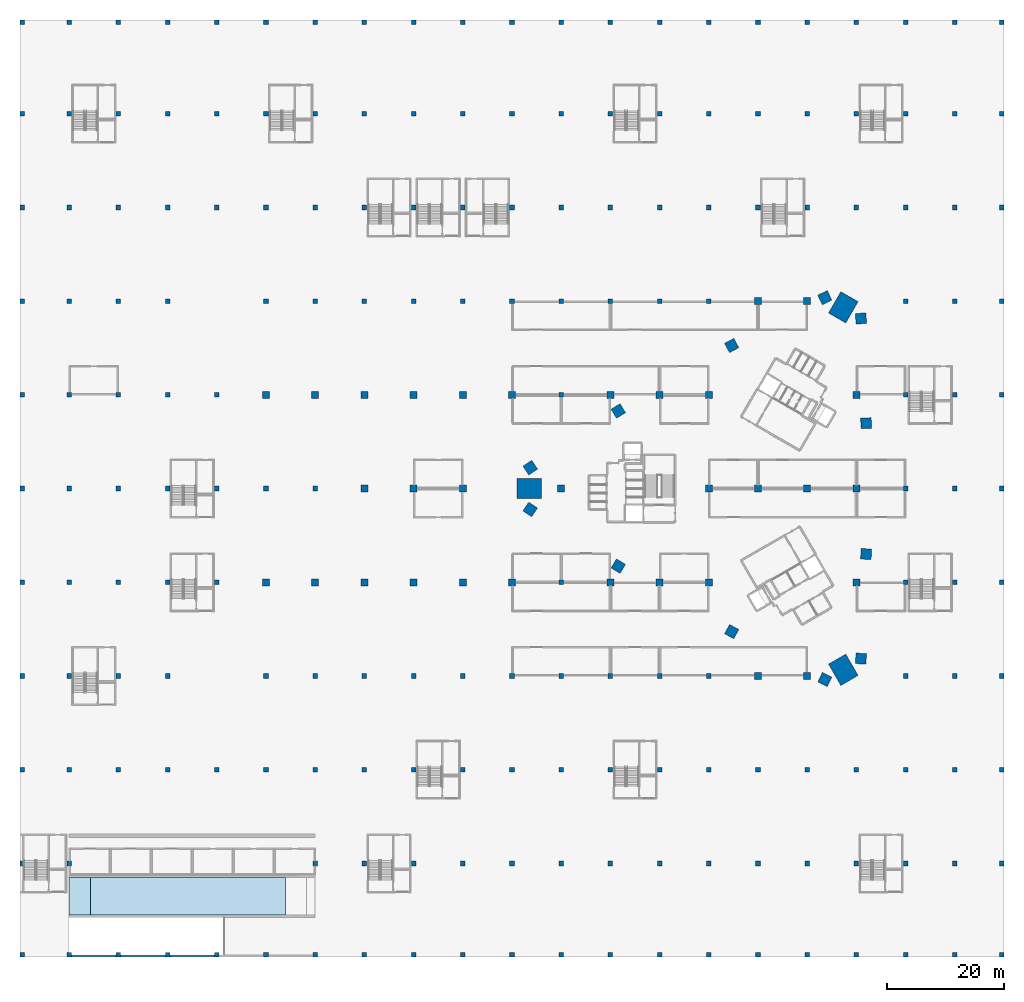
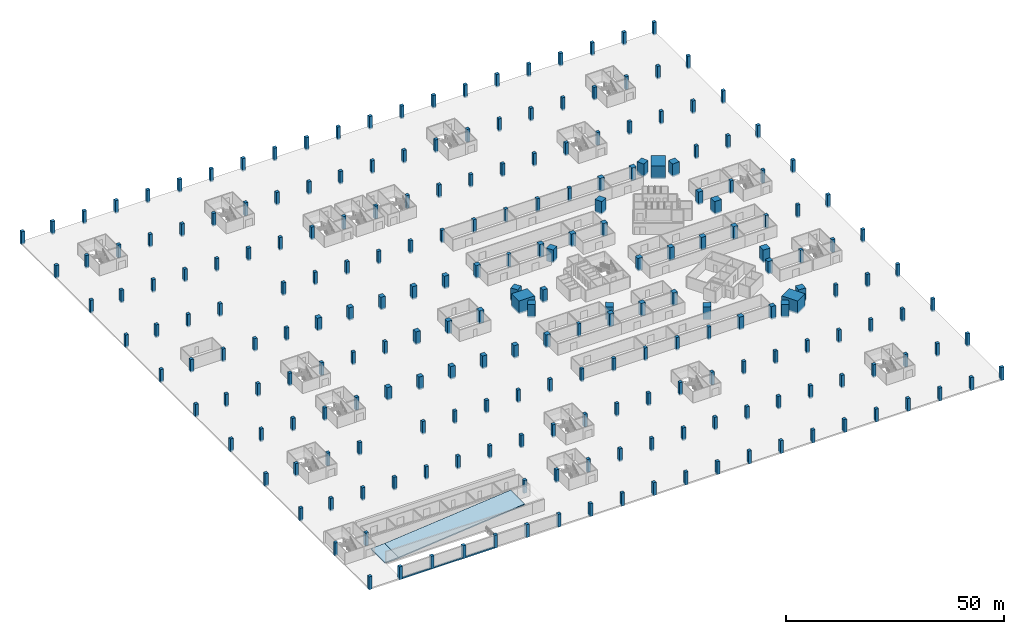
# One storey, part 1 of 37: 231 columns, 5 slabs.
"""IFC4 building model written with IfcOpenShell, lengths in metres."""

from ifc_helpers import new_model, si_unit, direction, frame, origin, origin_2d, place, context, subcontext, project, spatial, polyline, rectangle, outline, extrude, material, layer, layer_set, material_profile, profile_set, type_object, element, save


model = new_model("IFC4")

# Units and contexts
model_context = context("Model", 3, precision=1e-05, world=origin(), true_north=direction((0.0, 1.0)))
body_context = subcontext(model_context, "Body", "Model", "MODEL_VIEW")
ifc_project = project(units=[si_unit("LENGTHUNIT", "METRE"), si_unit("AREAUNIT", "SQUARE_METRE"), si_unit("VOLUMEUNIT", "CUBIC_METRE"), si_unit("PLANEANGLEUNIT", "RADIAN"), si_unit("MASSUNIT", "GRAM", prefix="KILO")], contexts=[model_context])

# Site, building, storey
site_placement = place(None, origin())
site = spatial("IfcSite", under=ifc_project, at=site_placement, CompositionType="ELEMENT")
building_placement = place(site_placement, origin())
building = spatial("IfcBuilding", under=site, at=building_placement, Name="Tamra Quay Hotel Tower", CompositionType="ELEMENT")
storey_placement = place(building_placement, frame((0.0, 0.0, -7.199951171875)))
storey = spatial("IfcBuildingStorey", under=building, at=storey_placement, Name="B2", CompositionType="ELEMENT", Elevation=-7.199951171875)

# Columns
ifc_material_1 = material(Name="Concrete M70", Category="concrete")
ifc_material_profile_1 = material_profile(ifc_material_1, rectangle(XDim=1.199951171875, YDim=1.199951171875, at=origin_2d()), Name="LATTICE COLUMN RC 1200x1200")
ifc_profile_set_1 = profile_set([ifc_material_profile_1], Name="Concrete M70")
column_type_1 = type_object("IfcColumnType", Name="LATTICE COLUMN RC 1200x1200", PredefinedType="COLUMN", material=ifc_profile_set_1)
for number, where, z_axis, x_axis, name in (
    (1, (-80.699951171875, -16.0, -0.400146484375), (0.0, 0.0, 1.0), (1.0, 0.0, 0.0), "COL-BC054-B2"),
    (2, (-80.699951171875, 16.0, -0.400146484375), (0.0, 0.0, 1.0), (1.0, 0.0, 0.0), "COL-BC056-B2"),
    (3, (-72.300048828125, -16.0, -0.400146484375), (0.0, 0.0, 1.0), (1.0, 0.0, 0.0), "COL-BC065-B2"),
    (4, (-72.300048828125, 16.0, -0.400146484375), (0.0, 0.0, 1.0), (1.0, 0.0, 0.0), "COL-BC067-B2"),
    (5, (-63.89990234375, -16.0, -0.400146484375), (0.0, 0.0, 1.0), (1.0, 0.0, 0.0), "COL-BC076-B2"),
    (6, (-63.89990234375, 0.0, -0.400146484375), (0.0, 0.0, 1.0), (1.0, 0.0, 0.0), "COL-BC077-B2"),
    (7, (-63.89990234375, 16.0, -0.400146484375), (0.0, 0.0, 1.0), (1.0, 0.0, 0.0), "COL-BC078-B2"),
    (8, (-55.5, -16.0, -0.400146484375), (0.0, 0.0, 1.0), (1.0, 0.0, 0.0), "COL-BC087-B2"),
    (9, (-55.5, 0.0, -0.400146484375), (0.0, 0.0, 1.0), (1.0, 0.0, 0.0), "COL-BC088-B2"),
    (10, (-55.5, 16.0, -0.400146484375), (0.0, 0.0, 1.0), (1.0, 0.0, 0.0), "COL-BC089-B2"),
    (11, (-47.10009765625, -16.0, -0.400146484375), (0.0, 0.0, 1.0), (1.0, 0.0, 0.0), "COL-BC098-B2"),
    (12, (-47.10009765625, 0.0, -0.400146484375), (0.0, 0.0, 1.0), (1.0, 0.0, 0.0), "COL-BC099-B2"),
    (13, (-47.10009765625, 16.0, -0.400146484375), (0.0, 0.0, 1.0), (1.0, 0.0, 0.0), "COL-BC100-B2"),
    (14, (-38.699951171875, -16.0, -0.400146484375), (0.0, 0.0, 1.0), (1.0, 0.0, 0.0), "COL-BC109-B2"),
    (15, (-38.699951171875, 16.0, -0.400146484375), (0.0, 0.0, 1.0), (1.0, 0.0, 0.0), "COL-BC110-B2"),
    (16, (-30.300048828125, 0.0, -0.400146484375), (0.0, 0.0, 1.0), (1.0, 0.0, 0.0), "COL-BC120-B2"),
    (17, (-21.89990234375, -16.0, -0.400146484375), (0.0, 0.0, 1.0), (1.0, 0.0, 0.0), "COL-BC130-B2"),
    (18, (-21.89990234375, 16.0, -0.400146484375), (0.0, 0.0, 1.0), (1.0, 0.0, 0.0), "COL-BC131-B2"),
    (19, (-13.5, -16.0, -0.400146484375), (0.0, 0.0, 1.0), (1.0, 0.0, 0.0), "COL-BC140-B2"),
    (20, (-13.5, 16.0, -0.400146484375), (0.0, 0.0, 1.0), (1.0, 0.0, 0.0), "COL-BC141-B2"),
    (21, (-5.10009765625, -16.0, -0.400146484375), (0.0, 0.0, 1.0), (1.0, 0.0, 0.0), "COL-BC150-B2"),
    (22, (-5.10009765625, 0.0, -0.400146484375), (0.0, 0.0, 1.0), (1.0, 0.0, 0.0), "COL-BC151-B2"),
    (23, (-5.10009765625, 16.0, -0.400146484375), (0.0, 0.0, 1.0), (1.0, 0.0, 0.0), "COL-BC152-B2"),
    (24, (3.300048828125, -32.0, -0.400146484375), (0.0, 0.0, 1.0), (1.0, 0.0, 0.0), "COL-BC160-B2"),
    (25, (3.300048828125, 0.0, -0.400146484375), (0.0, 0.0, 1.0), (1.0, 0.0, 0.0), "COL-BC161-B2"),
    (26, (3.300048828125, 32.0, -0.400146484375), (0.0, 0.0, 1.0), (1.0, 0.0, 0.0), "COL-BC162-B2"),
    (27, (11.699951171875, -32.0, -0.400146484375), (0.0, 0.0, 1.0), (1.0, 0.0, 0.0), "COL-BC169-B2"),
    (28, (11.699951171875, 0.0, -0.400146484375), (0.0, 0.0, 1.0), (1.0, 0.0, 0.0), "COL-BC170-B2"),
    (29, (11.699951171875, 32.0, -0.400146484375), (0.0, 0.0, 1.0), (1.0, 0.0, 0.0), "COL-BC171-B2"),
    (30, (20.10009765625, -16.0, -0.400146484375), (0.0, 0.0, 1.0), (1.0, 0.0, 0.0), "COL-BC178-B2"),
    (31, (20.10009765625, 0.0, -0.400146484375), (0.0, 0.0, 1.0), (1.0, 0.0, 0.0), "COL-BC179-B2"),
    (32, (20.10009765625, 16.0, -0.400146484375), (0.0, 0.0, 1.0), (1.0, 0.0, 0.0), "COL-BC180-B2"),
):
    element("IfcColumn", number, at=place(storey_placement, frame(where, z_axis=z_axis, x_axis=x_axis)), inside=storey, type_object=column_type_1, Name=name, PredefinedType="COLUMN", context=body_context, shape_type="SweptSolid", body=[
        extrude(rectangle(XDim=1.199951171875, YDim=1.199951171875, at=origin_2d()), origin(), (0.0, 0.0, 1.0), 3.60009765625),
    ])
ifc_material_profile_2 = material_profile(ifc_material_1, rectangle(XDim=0.800048828125, YDim=0.800048828125, at=origin_2d()), Name="LATTICE COLUMN RC 800x800")
ifc_profile_set_2 = profile_set([ifc_material_profile_2], Name="Concrete M70")
column_type_2 = type_object("IfcColumnType", Name="LATTICE COLUMN RC 800x800", PredefinedType="COLUMN", material=ifc_profile_set_2)
for number, where, z_axis, x_axis, name in (
    (33, (-122.300048828125, -79.60009765625, -0.400146484375), (0.0, 0.0, 1.0), (1.0, 0.0, 0.0), "COL-BC001-B2"),
    (34, (-122.300048828125, -64.0, -0.400146484375), (0.0, 0.0, 1.0), (1.0, 0.0, 0.0), "COL-BC002-B2"),
    (35, (-122.300048828125, -48.0, -0.400146484375), (0.0, 0.0, 1.0), (1.0, 0.0, 0.0), "COL-BC003-B2"),
    (36, (-122.300048828125, -32.0, -0.400146484375), (0.0, 0.0, 1.0), (1.0, 0.0, 0.0), "COL-BC004-B2"),
    (37, (-122.300048828125, -16.0, -0.400146484375), (0.0, 0.0, 1.0), (1.0, 0.0, 0.0), "COL-BC005-B2"),
    (38, (-122.300048828125, 0.0, -0.400146484375), (0.0, 0.0, 1.0), (1.0, 0.0, 0.0), "COL-BC006-B2"),
    (39, (-122.300048828125, 16.0, -0.400146484375), (0.0, 0.0, 1.0), (1.0, 0.0, 0.0), "COL-BC007-B2"),
    (40, (-122.300048828125, 32.0, -0.400146484375), (0.0, 0.0, 1.0), (1.0, 0.0, 0.0), "COL-BC008-B2"),
    (41, (-122.300048828125, 48.0, -0.400146484375), (0.0, 0.0, 1.0), (1.0, 0.0, 0.0), "COL-BC009-B2"),
    (42, (-122.300048828125, 64.0, -0.400146484375), (0.0, 0.0, 1.0), (1.0, 0.0, 0.0), "COL-BC010-B2"),
    (43, (-122.300048828125, 79.60009765625, -0.400146484375), (0.0, 0.0, 1.0), (1.0, 0.0, 0.0), "COL-BC011-B2"),
    (44, (-114.300048828125, -79.60009765625, -0.400146484375), (0.0, 0.0, 1.0), (1.0, 0.0, 0.0), "COL-BC012-B2"),
    (45, (-114.300048828125, -64.0, -0.400146484375), (0.0, 0.0, 1.0), (1.0, 0.0, 0.0), "COL-BC013-B2"),
    (46, (-114.300048828125, -48.0, -0.400146484375), (0.0, 0.0, 1.0), (1.0, 0.0, 0.0), "COL-BC014-B2"),
    (47, (-114.300048828125, -32.0, -0.400146484375), (0.0, 0.0, 1.0), (1.0, 0.0, 0.0), "COL-BC015-B2"),
    (48, (-114.300048828125, -16.0, -0.400146484375), (0.0, 0.0, 1.0), (1.0, 0.0, 0.0), "COL-BC016-B2"),
    (49, (-114.300048828125, 0.0, -0.400146484375), (0.0, 0.0, 1.0), (1.0, 0.0, 0.0), "COL-BC017-B2"),
    (50, (-114.300048828125, 16.0, -0.400146484375), (0.0, 0.0, 1.0), (1.0, 0.0, 0.0), "COL-BC018-B2"),
    (51, (-114.300048828125, 32.0, -0.400146484375), (0.0, 0.0, 1.0), (1.0, 0.0, 0.0), "COL-BC019-B2"),
    (52, (-114.300048828125, 48.0, -0.400146484375), (0.0, 0.0, 1.0), (1.0, 0.0, 0.0), "COL-BC020-B2"),
    (53, (-114.300048828125, 64.0, -0.400146484375), (0.0, 0.0, 1.0), (1.0, 0.0, 0.0), "COL-BC021-B2"),
    (54, (-114.300048828125, 79.60009765625, -0.400146484375), (0.0, 0.0, 1.0), (1.0, 0.0, 0.0), "COL-BC022-B2"),
    (55, (-105.89990234375, -79.60009765625, -0.400146484375), (0.0, 0.0, 1.0), (1.0, 0.0, 0.0), "COL-BC023-B2"),
    (56, (-105.89990234375, -48.0, -0.400146484375), (0.0, 0.0, 1.0), (1.0, 0.0, 0.0), "COL-BC024-B2"),
    (57, (-105.89990234375, -32.0, -0.400146484375), (0.0, 0.0, 1.0), (1.0, 0.0, 0.0), "COL-BC025-B2"),
    (58, (-105.89990234375, -16.0, -0.400146484375), (0.0, 0.0, 1.0), (1.0, 0.0, 0.0), "COL-BC026-B2"),
    (59, (-105.89990234375, 0.0, -0.400146484375), (0.0, 0.0, 1.0), (1.0, 0.0, 0.0), "COL-BC027-B2"),
    (60, (-105.89990234375, 16.0, -0.400146484375), (0.0, 0.0, 1.0), (1.0, 0.0, 0.0), "COL-BC028-B2"),
    (61, (-105.89990234375, 32.0, -0.400146484375), (0.0, 0.0, 1.0), (1.0, 0.0, 0.0), "COL-BC029-B2"),
    (62, (-105.89990234375, 48.0, -0.400146484375), (0.0, 0.0, 1.0), (1.0, 0.0, 0.0), "COL-BC030-B2"),
    (63, (-105.89990234375, 64.0, -0.400146484375), (0.0, 0.0, 1.0), (1.0, 0.0, 0.0), "COL-BC031-B2"),
    (64, (-105.89990234375, 79.60009765625, -0.400146484375), (0.0, 0.0, 1.0), (1.0, 0.0, 0.0), "COL-BC032-B2"),
    (65, (-97.5, -79.60009765625, -0.400146484375), (0.0, 0.0, 1.0), (1.0, 0.0, 0.0), "COL-BC033-B2"),
    (66, (-97.5, -48.0, -0.400146484375), (0.0, 0.0, 1.0), (1.0, 0.0, 0.0), "COL-BC034-B2"),
    (67, (-97.5, -32.0, -0.400146484375), (0.0, 0.0, 1.0), (1.0, 0.0, 0.0), "COL-BC035-B2"),
    (68, (-97.5, -16.0, -0.400146484375), (0.0, 0.0, 1.0), (1.0, 0.0, 0.0), "COL-BC036-B2"),
    (69, (-97.5, 0.0, -0.400146484375), (0.0, 0.0, 1.0), (1.0, 0.0, 0.0), "COL-BC037-B2"),
    (70, (-97.5, 16.0, -0.400146484375), (0.0, 0.0, 1.0), (1.0, 0.0, 0.0), "COL-BC038-B2"),
    (71, (-97.5, 32.0, -0.400146484375), (0.0, 0.0, 1.0), (1.0, 0.0, 0.0), "COL-BC039-B2"),
    (72, (-97.5, 48.0, -0.400146484375), (0.0, 0.0, 1.0), (1.0, 0.0, 0.0), "COL-BC040-B2"),
    (73, (-97.5, 64.0, -0.400146484375), (0.0, 0.0, 1.0), (1.0, 0.0, 0.0), "COL-BC041-B2"),
    (74, (-97.5, 79.60009765625, -0.400146484375), (0.0, 0.0, 1.0), (1.0, 0.0, 0.0), "COL-BC042-B2"),
    (75, (-89.10009765625, -79.60009765625, -0.400146484375), (0.0, 0.0, 1.0), (1.0, 0.0, 0.0), "COL-BC043-B2"),
    (76, (-89.10009765625, -48.0, -0.400146484375), (0.0, 0.0, 1.0), (1.0, 0.0, 0.0), "COL-BC044-B2"),
    (77, (-89.10009765625, -16.0, -0.400146484375), (0.0, 0.0, 1.0), (1.0, 0.0, 0.0), "COL-BC045-B2"),
    (78, (-89.10009765625, 0.0, -0.400146484375), (0.0, 0.0, 1.0), (1.0, 0.0, 0.0), "COL-BC046-B2"),
    (79, (-89.10009765625, 16.0, -0.400146484375), (0.0, 0.0, 1.0), (1.0, 0.0, 0.0), "COL-BC047-B2"),
    (80, (-89.10009765625, 48.0, -0.400146484375), (0.0, 0.0, 1.0), (1.0, 0.0, 0.0), "COL-BC048-B2"),
    (81, (-89.10009765625, 64.0, -0.400146484375), (0.0, 0.0, 1.0), (1.0, 0.0, 0.0), "COL-BC049-B2"),
    (82, (-89.10009765625, 79.60009765625, -0.400146484375), (0.0, 0.0, 1.0), (1.0, 0.0, 0.0), "COL-BC050-B2"),
    (83, (-80.699951171875, -79.60009765625, -0.400146484375), (0.0, 0.0, 1.0), (1.0, 0.0, 0.0), "COL-BC051-B2"),
    (84, (-80.699951171875, -48.0, -0.400146484375), (0.0, 0.0, 1.0), (1.0, 0.0, 0.0), "COL-BC052-B2"),
    (85, (-80.699951171875, -32.0, -0.400146484375), (0.0, 0.0, 1.0), (1.0, 0.0, 0.0), "COL-BC053-B2"),
    (86, (-80.699951171875, 0.0, -0.400146484375), (0.0, 0.0, 1.0), (1.0, 0.0, 0.0), "COL-BC055-B2"),
    (87, (-80.699951171875, 32.0, -0.400146484375), (0.0, 0.0, 1.0), (1.0, 0.0, 0.0), "COL-BC057-B2"),
    (88, (-80.699951171875, 48.0, -0.400146484375), (0.0, 0.0, 1.0), (1.0, 0.0, 0.0), "COL-BC058-B2"),
    (89, (-80.699951171875, 64.0, -0.400146484375), (0.0, 0.0, 1.0), (1.0, 0.0, 0.0), "COL-BC059-B2"),
    (90, (-80.699951171875, 79.60009765625, -0.400146484375), (0.0, 0.0, 1.0), (1.0, 0.0, 0.0), "COL-BC060-B2"),
    (91, (-72.300048828125, -79.60009765625, -0.400146484375), (0.0, 0.0, 1.0), (1.0, 0.0, 0.0), "COL-BC061-B2"),
    (92, (-72.300048828125, -64.0, -0.400146484375), (0.0, 0.0, 1.0), (1.0, 0.0, 0.0), "COL-BC062-B2"),
    (93, (-72.300048828125, -48.0, -0.400146484375), (0.0, 0.0, 1.0), (1.0, 0.0, 0.0), "COL-BC063-B2"),
    (94, (-72.300048828125, -32.0, -0.400146484375), (0.0, 0.0, 1.0), (1.0, 0.0, 0.0), "COL-BC064-B2"),
    (95, (-72.300048828125, 0.0, -0.400146484375), (0.0, 0.0, 1.0), (1.0, 0.0, 0.0), "COL-BC066-B2"),
    (96, (-72.300048828125, 32.0, -0.400146484375), (0.0, 0.0, 1.0), (1.0, 0.0, 0.0), "COL-BC068-B2"),
    (97, (-72.300048828125, 48.0, -0.400146484375), (0.0, 0.0, 1.0), (1.0, 0.0, 0.0), "COL-BC069-B2"),
    (98, (-72.300048828125, 64.0, -0.400146484375), (0.0, 0.0, 1.0), (1.0, 0.0, 0.0), "COL-BC070-B2"),
    (99, (-72.300048828125, 79.60009765625, -0.400146484375), (0.0, 0.0, 1.0), (1.0, 0.0, 0.0), "COL-BC071-B2"),
    (100, (-63.89990234375, -79.60009765625, -0.400146484375), (0.0, 0.0, 1.0), (1.0, 0.0, 0.0), "COL-BC072-B2"),
    (101, (-63.89990234375, -64.0, -0.400146484375), (0.0, 0.0, 1.0), (1.0, 0.0, 0.0), "COL-BC073-B2"),
    (102, (-63.89990234375, -48.0, -0.400146484375), (0.0, 0.0, 1.0), (1.0, 0.0, 0.0), "COL-BC074-B2"),
    (103, (-63.89990234375, -32.0, -0.400146484375), (0.0, 0.0, 1.0), (1.0, 0.0, 0.0), "COL-BC075-B2"),
    (104, (-63.89990234375, 32.0, -0.400146484375), (0.0, 0.0, 1.0), (1.0, 0.0, 0.0), "COL-BC079-B2"),
    (105, (-63.89990234375, 48.0, -0.400146484375), (0.0, 0.0, 1.0), (1.0, 0.0, 0.0), "COL-BC080-B2"),
    (106, (-63.89990234375, 64.0, -0.400146484375), (0.0, 0.0, 1.0), (1.0, 0.0, 0.0), "COL-BC081-B2"),
    (107, (-63.89990234375, 79.60009765625, -0.400146484375), (0.0, 0.0, 1.0), (1.0, 0.0, 0.0), "COL-BC082-B2"),
    (108, (-55.5, -79.60009765625, -0.400146484375), (0.0, 0.0, 1.0), (1.0, 0.0, 0.0), "COL-BC083-B2"),
    (109, (-55.5, -64.0, -0.400146484375), (0.0, 0.0, 1.0), (1.0, 0.0, 0.0), "COL-BC084-B2"),
    (110, (-55.5, -48.0, -0.400146484375), (0.0, 0.0, 1.0), (1.0, 0.0, 0.0), "COL-BC085-B2"),
    (111, (-55.5, -32.0, -0.400146484375), (0.0, 0.0, 1.0), (1.0, 0.0, 0.0), "COL-BC086-B2"),
    (112, (-55.5, 32.0, -0.400146484375), (0.0, 0.0, 1.0), (1.0, 0.0, 0.0), "COL-BC090-B2"),
    (113, (-55.5, 48.0, -0.400146484375), (0.0, 0.0, 1.0), (1.0, 0.0, 0.0), "COL-BC091-B2"),
    (114, (-55.5, 64.0, -0.400146484375), (0.0, 0.0, 1.0), (1.0, 0.0, 0.0), "COL-BC092-B2"),
    (115, (-55.5, 79.60009765625, -0.400146484375), (0.0, 0.0, 1.0), (1.0, 0.0, 0.0), "COL-BC093-B2"),
    (116, (-47.10009765625, -79.60009765625, -0.400146484375), (0.0, 0.0, 1.0), (1.0, 0.0, 0.0), "COL-BC094-B2"),
    (117, (-47.10009765625, -64.0, -0.400146484375), (0.0, 0.0, 1.0), (1.0, 0.0, 0.0), "COL-BC095-B2"),
    (118, (-47.10009765625, -48.0, -0.400146484375), (0.0, 0.0, 1.0), (1.0, 0.0, 0.0), "COL-BC096-B2"),
    (119, (-47.10009765625, -32.0, -0.400146484375), (0.0, 0.0, 1.0), (1.0, 0.0, 0.0), "COL-BC097-B2"),
    (120, (-47.10009765625, 32.0, -0.400146484375), (0.0, 0.0, 1.0), (1.0, 0.0, 0.0), "COL-BC101-B2"),
    (121, (-47.10009765625, 48.0, -0.400146484375), (0.0, 0.0, 1.0), (1.0, 0.0, 0.0), "COL-BC102-B2"),
    (122, (-47.10009765625, 64.0, -0.400146484375), (0.0, 0.0, 1.0), (1.0, 0.0, 0.0), "COL-BC103-B2"),
    (123, (-47.10009765625, 79.60009765625, -0.400146484375), (0.0, 0.0, 1.0), (1.0, 0.0, 0.0), "COL-BC104-B2"),
    (124, (-38.699951171875, -79.60009765625, -0.400146484375), (0.0, 0.0, 1.0), (1.0, 0.0, 0.0), "COL-BC105-B2"),
    (125, (-38.699951171875, -64.0, -0.400146484375), (0.0, 0.0, 1.0), (1.0, 0.0, 0.0), "COL-BC106-B2"),
    (126, (-38.699951171875, -48.0, -0.400146484375), (0.0, 0.0, 1.0), (1.0, 0.0, 0.0), "COL-BC107-B2"),
    (127, (-38.699951171875, -32.0, -0.400146484375), (0.0, 0.0, 1.0), (1.0, 0.0, 0.0), "COL-BC108-B2"),
    (128, (-38.699951171875, 32.0, -0.400146484375), (0.0, 0.0, 1.0), (1.0, 0.0, 0.0), "COL-BC111-B2"),
    (129, (-38.699951171875, 48.0, -0.400146484375), (0.0, 0.0, 1.0), (1.0, 0.0, 0.0), "COL-BC112-B2"),
    (130, (-38.699951171875, 64.0, -0.400146484375), (0.0, 0.0, 1.0), (1.0, 0.0, 0.0), "COL-BC113-B2"),
    (131, (-38.699951171875, 79.60009765625, -0.400146484375), (0.0, 0.0, 1.0), (1.0, 0.0, 0.0), "COL-BC114-B2"),
    (132, (-30.300048828125, -79.60009765625, -0.400146484375), (0.0, 0.0, 1.0), (1.0, 0.0, 0.0), "COL-BC115-B2"),
    (133, (-30.300048828125, -64.0, -0.400146484375), (0.0, 0.0, 1.0), (1.0, 0.0, 0.0), "COL-BC116-B2"),
    (134, (-30.300048828125, -48.0, -0.400146484375), (0.0, 0.0, 1.0), (1.0, 0.0, 0.0), "COL-BC117-B2"),
    (135, (-30.300048828125, -32.0, -0.400146484375), (0.0, 0.0, 1.0), (1.0, 0.0, 0.0), "COL-BC118-B2"),
    (136, (-30.300048828125, -16.0, -0.400146484375), (0.0, 0.0, 1.0), (1.0, 0.0, 0.0), "COL-BC119-B2"),
    (137, (-30.300048828125, 16.0, -0.400146484375), (0.0, 0.0, 1.0), (1.0, 0.0, 0.0), "COL-BC121-B2"),
    (138, (-30.300048828125, 32.0, -0.400146484375), (0.0, 0.0, 1.0), (1.0, 0.0, 0.0), "COL-BC122-B2"),
    (139, (-30.300048828125, 48.0, -0.400146484375), (0.0, 0.0, 1.0), (1.0, 0.0, 0.0), "COL-BC123-B2"),
    (140, (-30.300048828125, 64.0, -0.400146484375), (0.0, 0.0, 1.0), (1.0, 0.0, 0.0), "COL-BC124-B2"),
    (141, (-30.300048828125, 79.60009765625, -0.400146484375), (0.0, 0.0, 1.0), (1.0, 0.0, 0.0), "COL-BC125-B2"),
    (142, (-21.89990234375, -79.60009765625, -0.400146484375), (0.0, 0.0, 1.0), (1.0, 0.0, 0.0), "COL-BC126-B2"),
    (143, (-21.89990234375, -64.0, -0.400146484375), (0.0, 0.0, 1.0), (1.0, 0.0, 0.0), "COL-BC127-B2"),
    (144, (-21.89990234375, -48.0, -0.400146484375), (0.0, 0.0, 1.0), (1.0, 0.0, 0.0), "COL-BC128-B2"),
    (145, (-21.89990234375, -32.0, -0.400146484375), (0.0, 0.0, 1.0), (1.0, 0.0, 0.0), "COL-BC129-B2"),
    (146, (-21.89990234375, 32.0, -0.400146484375), (0.0, 0.0, 1.0), (1.0, 0.0, 0.0), "COL-BC132-B2"),
    (147, (-21.89990234375, 48.0, -0.400146484375), (0.0, 0.0, 1.0), (1.0, 0.0, 0.0), "COL-BC133-B2"),
    (148, (-21.89990234375, 64.0, -0.400146484375), (0.0, 0.0, 1.0), (1.0, 0.0, 0.0), "COL-BC134-B2"),
    (149, (-21.89990234375, 79.60009765625, -0.400146484375), (0.0, 0.0, 1.0), (1.0, 0.0, 0.0), "COL-BC135-B2"),
    (150, (-13.5, -79.60009765625, -0.400146484375), (0.0, 0.0, 1.0), (1.0, 0.0, 0.0), "COL-BC136-B2"),
    (151, (-13.5, -64.0, -0.400146484375), (0.0, 0.0, 1.0), (1.0, 0.0, 0.0), "COL-BC137-B2"),
    (152, (-13.5, -48.0, -0.400146484375), (0.0, 0.0, 1.0), (1.0, 0.0, 0.0), "COL-BC138-B2"),
    (153, (-13.5, -32.0, -0.400146484375), (0.0, 0.0, 1.0), (1.0, 0.0, 0.0), "COL-BC139-B2"),
    (154, (-13.5, 32.0, -0.400146484375), (0.0, 0.0, 1.0), (1.0, 0.0, 0.0), "COL-BC142-B2"),
    (155, (-13.5, 48.0, -0.400146484375), (0.0, 0.0, 1.0), (1.0, 0.0, 0.0), "COL-BC143-B2"),
    (156, (-13.5, 64.0, -0.400146484375), (0.0, 0.0, 1.0), (1.0, 0.0, 0.0), "COL-BC144-B2"),
    (157, (-13.5, 79.60009765625, -0.400146484375), (0.0, 0.0, 1.0), (1.0, 0.0, 0.0), "COL-BC145-B2"),
    (158, (-5.10009765625, -79.60009765625, -0.400146484375), (0.0, 0.0, 1.0), (1.0, 0.0, 0.0), "COL-BC146-B2"),
    (159, (-5.10009765625, -64.0, -0.400146484375), (0.0, 0.0, 1.0), (1.0, 0.0, 0.0), "COL-BC147-B2"),
    (160, (-5.10009765625, -48.0, -0.400146484375), (0.0, 0.0, 1.0), (1.0, 0.0, 0.0), "COL-BC148-B2"),
    (161, (-5.10009765625, -32.0, -0.400146484375), (0.0, 0.0, 1.0), (1.0, 0.0, 0.0), "COL-BC149-B2"),
    (162, (-5.10009765625, 32.0, -0.400146484375), (0.0, 0.0, 1.0), (1.0, 0.0, 0.0), "COL-BC153-B2"),
    (163, (-5.10009765625, 48.0, -0.400146484375), (0.0, 0.0, 1.0), (1.0, 0.0, 0.0), "COL-BC154-B2"),
    (164, (-5.10009765625, 64.0, -0.400146484375), (0.0, 0.0, 1.0), (1.0, 0.0, 0.0), "COL-BC155-B2"),
    (165, (-5.10009765625, 79.60009765625, -0.400146484375), (0.0, 0.0, 1.0), (1.0, 0.0, 0.0), "COL-BC156-B2"),
    (166, (3.300048828125, -79.60009765625, -0.400146484375), (0.0, 0.0, 1.0), (1.0, 0.0, 0.0), "COL-BC157-B2"),
    (167, (3.300048828125, -64.0, -0.400146484375), (0.0, 0.0, 1.0), (1.0, 0.0, 0.0), "COL-BC158-B2"),
    (168, (3.300048828125, -48.0, -0.400146484375), (0.0, 0.0, 1.0), (1.0, 0.0, 0.0), "COL-BC159-B2"),
    (169, (3.300048828125, 48.0, -0.400146484375), (0.0, 0.0, 1.0), (1.0, 0.0, 0.0), "COL-BC163-B2"),
    (170, (3.300048828125, 64.0, -0.400146484375), (0.0, 0.0, 1.0), (1.0, 0.0, 0.0), "COL-BC164-B2"),
    (171, (3.300048828125, 79.60009765625, -0.400146484375), (0.0, 0.0, 1.0), (1.0, 0.0, 0.0), "COL-BC165-B2"),
    (172, (11.699951171875, -79.60009765625, -0.400146484375), (0.0, 0.0, 1.0), (1.0, 0.0, 0.0), "COL-BC166-B2"),
    (173, (11.699951171875, -64.0, -0.400146484375), (0.0, 0.0, 1.0), (1.0, 0.0, 0.0), "COL-BC167-B2"),
    (174, (11.699951171875, -48.0, -0.400146484375), (0.0, 0.0, 1.0), (1.0, 0.0, 0.0), "COL-BC168-B2"),
    (175, (11.699951171875, 48.0, -0.400146484375), (0.0, 0.0, 1.0), (1.0, 0.0, 0.0), "COL-BC172-B2"),
    (176, (11.699951171875, 64.0, -0.400146484375), (0.0, 0.0, 1.0), (1.0, 0.0, 0.0), "COL-BC173-B2"),
    (177, (11.699951171875, 79.60009765625, -0.400146484375), (0.0, 0.0, 1.0), (1.0, 0.0, 0.0), "COL-BC174-B2"),
    (178, (20.10009765625, -79.60009765625, -0.400146484375), (0.0, 0.0, 1.0), (1.0, 0.0, 0.0), "COL-BC175-B2"),
    (179, (20.10009765625, -64.0, -0.400146484375), (0.0, 0.0, 1.0), (1.0, 0.0, 0.0), "COL-BC176-B2"),
    (180, (20.10009765625, -48.0, -0.400146484375), (0.0, 0.0, 1.0), (1.0, 0.0, 0.0), "COL-BC177-B2"),
    (181, (20.10009765625, 48.0, -0.400146484375), (0.0, 0.0, 1.0), (1.0, 0.0, 0.0), "COL-BC181-B2"),
    (182, (20.10009765625, 64.0, -0.400146484375), (0.0, 0.0, 1.0), (1.0, 0.0, 0.0), "COL-BC182-B2"),
    (183, (20.10009765625, 79.60009765625, -0.400146484375), (0.0, 0.0, 1.0), (1.0, 0.0, 0.0), "COL-BC183-B2"),
    (184, (28.5, -79.60009765625, -0.400146484375), (0.0, 0.0, 1.0), (1.0, 0.0, 0.0), "COL-BC184-B2"),
    (185, (28.5, -64.0, -0.400146484375), (0.0, 0.0, 1.0), (1.0, 0.0, 0.0), "COL-BC185-B2"),
    (186, (28.5, -48.0, -0.400146484375), (0.0, 0.0, 1.0), (1.0, 0.0, 0.0), "COL-BC186-B2"),
    (187, (28.5, -32.0, -0.400146484375), (0.0, 0.0, 1.0), (1.0, 0.0, 0.0), "COL-BC187-B2"),
    (188, (28.5, -16.0, -0.400146484375), (0.0, 0.0, 1.0), (1.0, 0.0, 0.0), "COL-BC188-B2"),
    (189, (28.5, 0.0, -0.400146484375), (0.0, 0.0, 1.0), (1.0, 0.0, 0.0), "COL-BC189-B2"),
    (190, (28.5, 16.0, -0.400146484375), (0.0, 0.0, 1.0), (1.0, 0.0, 0.0), "COL-BC190-B2"),
    (191, (28.5, 32.0, -0.400146484375), (0.0, 0.0, 1.0), (1.0, 0.0, 0.0), "COL-BC191-B2"),
    (192, (28.5, 48.0, -0.400146484375), (0.0, 0.0, 1.0), (1.0, 0.0, 0.0), "COL-BC192-B2"),
    (193, (28.5, 64.0, -0.400146484375), (0.0, 0.0, 1.0), (1.0, 0.0, 0.0), "COL-BC193-B2"),
    (194, (28.5, 79.60009765625, -0.400146484375), (0.0, 0.0, 1.0), (1.0, 0.0, 0.0), "COL-BC194-B2"),
    (195, (36.89990234375, -79.60009765625, -0.400146484375), (0.0, 0.0, 1.0), (1.0, 0.0, 0.0), "COL-BC195-B2"),
    (196, (36.89990234375, -64.0, -0.400146484375), (0.0, 0.0, 1.0), (1.0, 0.0, 0.0), "COL-BC196-B2"),
    (197, (36.89990234375, -48.0, -0.400146484375), (0.0, 0.0, 1.0), (1.0, 0.0, 0.0), "COL-BC197-B2"),
    (198, (36.89990234375, -32.0, -0.400146484375), (0.0, 0.0, 1.0), (1.0, 0.0, 0.0), "COL-BC198-B2"),
    (199, (36.89990234375, -16.0, -0.400146484375), (0.0, 0.0, 1.0), (1.0, 0.0, 0.0), "COL-BC199-B2"),
    (200, (36.89990234375, 0.0, -0.400146484375), (0.0, 0.0, 1.0), (1.0, 0.0, 0.0), "COL-BC200-B2"),
    (201, (36.89990234375, 16.0, -0.400146484375), (0.0, 0.0, 1.0), (1.0, 0.0, 0.0), "COL-BC201-B2"),
    (202, (36.89990234375, 32.0, -0.400146484375), (0.0, 0.0, 1.0), (1.0, 0.0, 0.0), "COL-BC202-B2"),
    (203, (36.89990234375, 48.0, -0.400146484375), (0.0, 0.0, 1.0), (1.0, 0.0, 0.0), "COL-BC203-B2"),
    (204, (36.89990234375, 64.0, -0.400146484375), (0.0, 0.0, 1.0), (1.0, 0.0, 0.0), "COL-BC204-B2"),
    (205, (36.89990234375, 79.60009765625, -0.400146484375), (0.0, 0.0, 1.0), (1.0, 0.0, 0.0), "COL-BC205-B2"),
    (206, (44.89990234375, -79.60009765625, -0.400146484375), (0.0, 0.0, 1.0), (1.0, 0.0, 0.0), "COL-BC206-B2"),
    (207, (44.89990234375, -64.0, -0.400146484375), (0.0, 0.0, 1.0), (1.0, 0.0, 0.0), "COL-BC207-B2"),
    (208, (44.89990234375, -48.0, -0.400146484375), (0.0, 0.0, 1.0), (1.0, 0.0, 0.0), "COL-BC208-B2"),
    (209, (44.89990234375, -32.0, -0.400146484375), (0.0, 0.0, 1.0), (1.0, 0.0, 0.0), "COL-BC209-B2"),
    (210, (44.89990234375, -16.0, -0.400146484375), (0.0, 0.0, 1.0), (1.0, 0.0, 0.0), "COL-BC210-B2"),
    (211, (44.89990234375, 0.0, -0.400146484375), (0.0, 0.0, 1.0), (1.0, 0.0, 0.0), "COL-BC211-B2"),
    (212, (44.89990234375, 16.0, -0.400146484375), (0.0, 0.0, 1.0), (1.0, 0.0, 0.0), "COL-BC212-B2"),
    (213, (44.89990234375, 32.0, -0.400146484375), (0.0, 0.0, 1.0), (1.0, 0.0, 0.0), "COL-BC213-B2"),
    (214, (44.89990234375, 48.0, -0.400146484375), (0.0, 0.0, 1.0), (1.0, 0.0, 0.0), "COL-BC214-B2"),
    (215, (44.89990234375, 64.0, -0.400146484375), (0.0, 0.0, 1.0), (1.0, 0.0, 0.0), "COL-BC215-B2"),
    (216, (44.89990234375, 79.60009765625, -0.400146484375), (0.0, 0.0, 1.0), (1.0, 0.0, 0.0), "COL-BC216-B2"),
):
    element("IfcColumn", number, at=place(storey_placement, frame(where, z_axis=z_axis, x_axis=x_axis)), inside=storey, type_object=column_type_2, Name=name, PredefinedType="COLUMN", context=body_context, shape_type="SweptSolid", body=[
        extrude(rectangle(XDim=0.800048828125, YDim=0.800048828125, at=origin_2d()), origin(), (0.0, 0.0, 1.0), 3.60009765625),
    ])
ifc_material_profile_3 = material_profile(ifc_material_1, rectangle(XDim=4.199951171875, YDim=3.39990234375, at=origin_2d()), Name="MEGA COLUMN RC 3400x4200 Z1")
ifc_profile_set_3 = profile_set([ifc_material_profile_3], Name="Concrete M70")
column_type_3 = type_object("IfcColumnType", Name="MEGA COLUMN RC 3400x4200 Z1", PredefinedType="COLUMN", material=ifc_profile_set_3)
for number, where, z_axis, x_axis, name in (
    (217, (17.864501953125, 30.942138671875, -0.400146484375), (0.0, 0.0, 1.0), (0.5, 0.866025403784, 0.0), "COL-M0NE-B2"),
    (218, (-35.72900390625, 0.0, -0.400146484375), (0.0, 0.0, 1.0), (1.0, 0.0, 0.0), "COL-M0W-B2"),
    (219, (17.864501953125, -30.942138671875, -0.400146484375), (0.0, 0.0, 1.0), (-0.5, 0.866025403784, 0.0), "COL-M0SE-B2"),
):
    element("IfcColumn", number, at=place(storey_placement, frame(where, z_axis=z_axis, x_axis=x_axis)), inside=storey, type_object=column_type_3, Name=name, PredefinedType="COLUMN", context=body_context, shape_type="SweptSolid", body=[
        extrude(rectangle(XDim=4.199951171875, YDim=3.39990234375, at=origin_2d()), origin(), (0.0, 0.0, 1.0), 3.60009765625),
    ])
ifc_material_profile_4 = material_profile(ifc_material_1, rectangle(XDim=1.800048828125, YDim=1.800048828125, at=origin_2d()), Name="MIDFACE COLUMN RC 1800x1800")
ifc_profile_set_4 = profile_set([ifc_material_profile_4], Name="Concrete M70")
column_type_4 = type_object("IfcColumnType", Name="MIDFACE COLUMN RC 1800x1800", PredefinedType="COLUMN", material=ifc_profile_set_4)
for number, where, z_axis, x_axis, name in (
    (220, (20.87890625, -29.033935546875, -0.400146484375), (0.0, 0.0, 1.0), (-0.997561736499, 0.069789554182, 0.0), "COL-PRE1-B2"),
    (221, (21.7490234375, -11.17431640625, -0.400146484375), (0.0, 0.0, 1.0), (-0.999628128016, 0.02726913418, 0.0), "COL-PRE2-B2"),
    (222, (21.7490234375, 11.17431640625, -0.400146484375), (0.0, 0.0, 1.0), (0.999628128016, 0.02726913418, 0.0), "COL-PRE3-B2"),
    (223, (20.87890625, 29.033935546875, -0.400146484375), (0.0, 0.0, 1.0), (0.997561736499, 0.069789554182, 0.0), "COL-PRE4-B2"),
    (224, (14.70458984375, 32.5986328125, -0.400146484375), (0.0, 0.0, 1.0), (-0.438341341409, 0.898808582743, 0.0), "COL-PRNW1-B2"),
    (225, (-1.197265625, 24.422607421875, -0.400146484375), (0.0, 0.0, 1.0), (-0.476198301069, 0.879337920289, 0.0), "COL-PRNW2-B2"),
    (226, (-20.552001953125, 13.248046875, -0.400146484375), (0.0, 0.0, 1.0), (-0.523429826947, 0.85206878611, 0.0), "COL-PRNW3-B2"),
    (227, (-35.58349609375, 3.564697265625, -0.400146484375), (0.0, 0.0, 1.0), (-0.55922039509, 0.82901902856, 0.0), "COL-PRNW4-B2"),
    (228, (-35.58349609375, -3.564697265625, -0.400146484375), (0.0, 0.0, 1.0), (0.55922039509, 0.82901902856, 0.0), "COL-PRSW1-B2"),
    (229, (-20.552001953125, -13.248046875, -0.400146484375), (0.0, 0.0, 1.0), (0.523429826947, 0.85206878611, 0.0), "COL-PRSW2-B2"),
    (230, (-1.197265625, -24.422607421875, -0.400146484375), (0.0, 0.0, 1.0), (0.476198301069, 0.879337920289, 0.0), "COL-PRSW3-B2"),
    (231, (14.70458984375, -32.5986328125, -0.400146484375), (0.0, 0.0, 1.0), (0.438341341409, 0.898808582743, 0.0), "COL-PRSW4-B2"),
):
    element("IfcColumn", number, at=place(storey_placement, frame(where, z_axis=z_axis, x_axis=x_axis)), inside=storey, type_object=column_type_4, Name=name, PredefinedType="COLUMN", context=body_context, shape_type="SweptSolid", body=[
        extrude(rectangle(XDim=1.800048828125, YDim=1.800048828125, at=origin_2d()), origin(), (0.0, 0.0, 1.0), 3.60009765625),
    ])

# Slabs
ifc_material_2 = material(Name="Concrete M60", Category="concrete")
ifc_layer_1 = layer(ifc_material_2, 0.300048828125)
ifc_layer_set_1 = layer_set([ifc_layer_1], Name="Concrete M60 vehicle ramp slab 300")
slab_type_1 = type_object("IfcSlabType", Name="Concrete M60 vehicle ramp slab 300", PredefinedType="USERDEFINED", material=ifc_layer_set_1)
slab_1_placement = place(storey_placement, frame((-77.39990234375, -72.820068359375, 3.42431640625), z_axis=(-0.09709978799, 0.0, 0.995274651125), x_axis=(-0.995274651125, 0.0, -0.09709978799)))
element("IfcSlab", 232, at=slab_1_placement, inside=storey, type_object=slab_type_1, Name="Vehicle ramp B slab 3", ObjectType="VEHICLE RAMP SLAB", PredefinedType="USERDEFINED", context=body_context, shape_type="SweptSolid", body=[
    extrude(outline(polyline([(0.0, 0.0), (33.45815026081557, 0.0), (33.45815026081557, -6.440185546875002), (0.0, -6.440185546875002), (0.0, 0.0)])), origin(), (0.0, 0.0, -1.0), 0.300048828125),
])
slab_2_placement = place(storey_placement, frame((-110.699951171875, -72.820068359375, 0.175537109375), z_axis=(-0.048034915892, 0.0, 0.998845657174), x_axis=(-0.998845657174, 0.0, -0.048034915892)))
element("IfcSlab", 233, at=slab_2_placement, inside=storey, type_object=slab_type_1, Name="Vehicle ramp B slab 4", ObjectType="VEHICLE RAMP SLAB", PredefinedType="USERDEFINED", context=body_context, shape_type="SweptSolid", body=[
    extrude(outline(polyline([(0.0, 0.0), (3.654364874251462, 0.0), (3.654364874251462, -6.440185546875), (0.0, -6.440185546875), (0.0, 0.0)])), origin(), (0.0, 0.0, -1.0), 0.300048828125),
])
ifc_layer_2 = layer(ifc_material_2, 0.39990234375)
ifc_layer_set_2 = layer_set([ifc_layer_2], Name="FLOOR SLAB PT 400")
slab_type_2 = type_object("IfcSlabType", Name="FLOOR SLAB PT 400", PredefinedType="FLOOR", material=ifc_layer_set_2)
slab_3_placement = place(storey_placement, frame((0.0, 0.0, -0.400146484375)))
element("IfcSlab", 234, at=slab_3_placement, inside=storey, type_object=slab_type_2, Name="SLAB-B2-2", PredefinedType="FLOOR", context=body_context, shape_type="SweptSolid", body=[
    extrude(outline(polyline([(-113.89990234375, -80.0), (-113.89990234375, -79.60009765625), (-106.300048828125, -79.60009765625), (-106.300048828125, -80.0), (-113.89990234375, -80.0)])), origin(), (0.0, 0.0, 1.0), 0.400146484375),
])
slab_4_placement = place(storey_placement, frame((0.0, 0.0, -0.400146484375)))
element("IfcSlab", 235, at=slab_4_placement, inside=storey, type_object=slab_type_2, Name="SLAB-B2-3", PredefinedType="FLOOR", context=body_context, shape_type="SweptSolid", body=[
    extrude(outline(polyline([(-105.5, -80.0), (-105.5, -79.60009765625), (-97.89990234375, -79.60009765625), (-97.89990234375, -80.0), (-105.5, -80.0)])), origin(), (0.0, 0.0, 1.0), 0.400146484375),
])
slab_5_placement = place(storey_placement, frame((0.0, 0.0, -0.400146484375)))
element("IfcSlab", 236, at=slab_5_placement, inside=storey, type_object=slab_type_2, Name="SLAB-B2-4", PredefinedType="FLOOR", context=body_context, shape_type="SweptSolid", body=[
    extrude(outline(polyline([(-97.10009765625, -80.0), (-97.10009765625, -79.60009765625), (-89.5, -79.60009765625), (-89.5, -80.0), (-97.10009765625, -80.0)])), origin(), (0.0, 0.0, 1.0), 0.400146484375),
])

save(model, "model.ifc")
